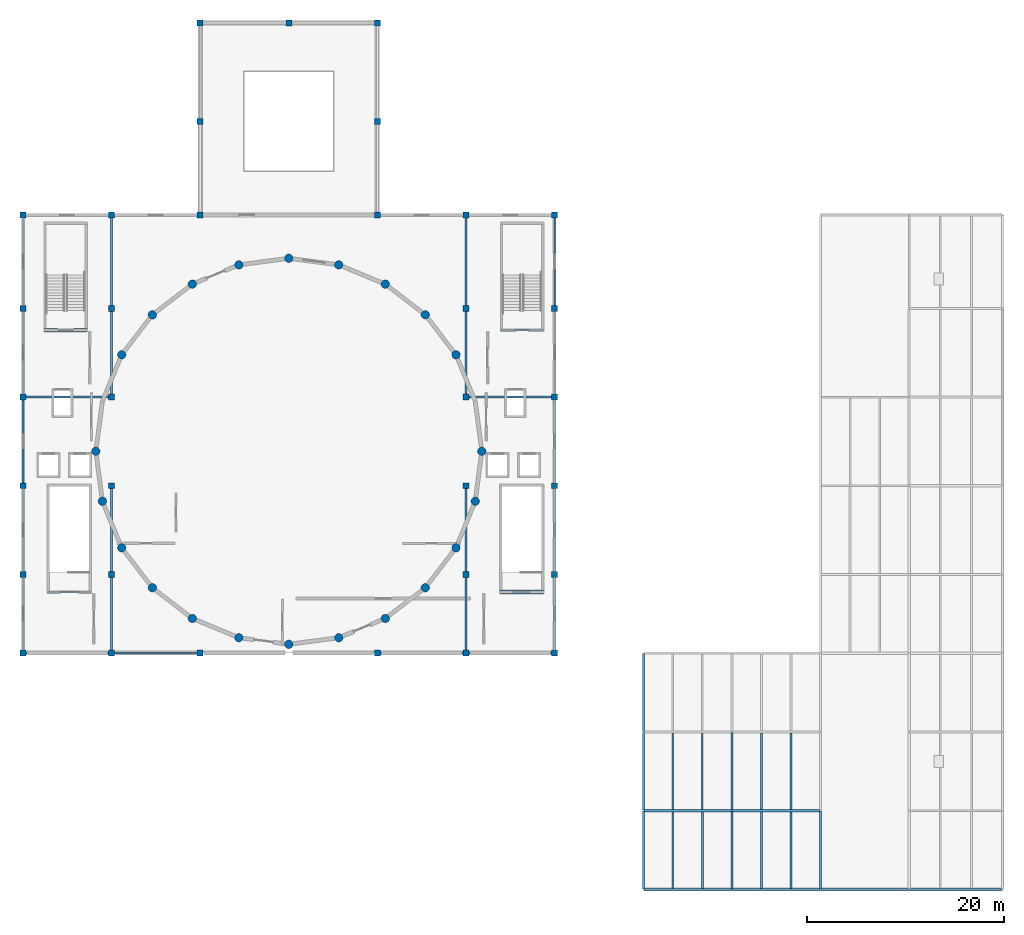
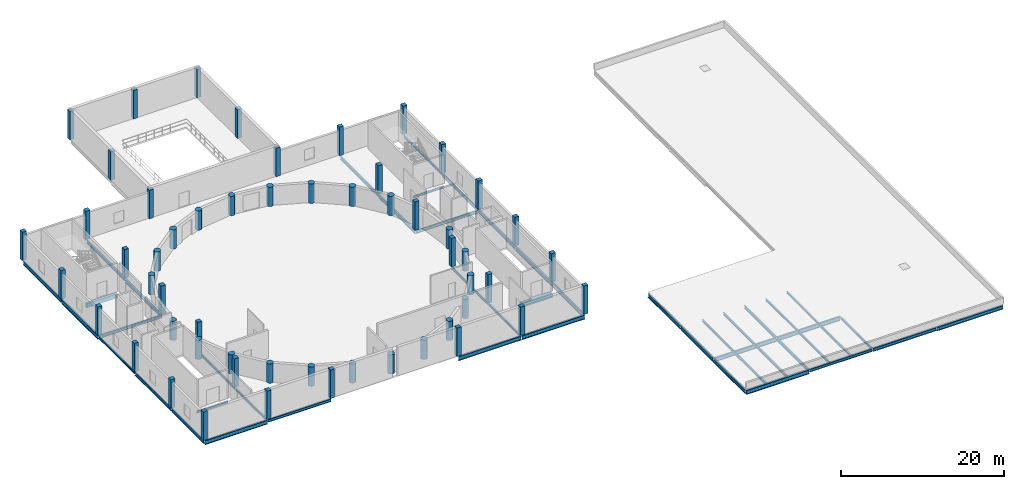
# One storey, part 1 of 10: 55 columns, 48 beams.
"""IFC4 building model written with IfcOpenShell, lengths in metres."""

import ifcopenshell
import ifcopenshell.guid

model = None  # the IFC model being written
_history = None  # IfcOwnerHistory: only IFC2X3 demands one
_inside = {}  # id of a spatial element -> (the spatial element, [elements in it])
_under = {}  # id of a project, library or spatial element -> (it, [spatial elements below it])
_declared = {}  # id of a project -> (the project, [libraries it declares])
_typed = {}  # id of a type object -> (the type object, [elements of that type])
_made_of = {}  # id of a material, layer set ... -> (it, [elements and type objects made of it])


def new_model(schema):
    """Start an empty IFC model of exactly this schema.

    Asked for "IFC4X3", IfcOpenShell would pick the latest addendum, in which some entities
    have other attributes; the version numbers below select the first issue.
    IFC2X3 requires an IfcOwnerHistory on every rooted entity: one is made here for all.
    """
    global model, _history
    if schema == "IFC4X3":
        model = ifcopenshell.file(schema_version=(4, 3, 0, 0))
    else:
        model = ifcopenshell.file(schema=schema)
    _inside.clear()
    _under.clear()
    _declared.clear()
    _typed.clear()
    _made_of.clear()
    _history = None
    if model.schema == "IFC2X3":
        org = make("IfcOrganization", Name="unknown")
        user = make(
            "IfcPersonAndOrganization",
            ThePerson=make("IfcPerson", FamilyName="unknown"),
            TheOrganization=org,
        )
        app = make(
            "IfcApplication",
            ApplicationDeveloper=org,
            Version="unknown",
            ApplicationFullName="unknown",
            ApplicationIdentifier="unknown",
        )
        _history = make(
            "IfcOwnerHistory",
            OwningUser=user,
            OwningApplication=app,
            ChangeAction="ADDED",
            CreationDate=0,
        )
    return model


def make(cls, **values):
    """One entity of the class cls with the attributes given. An attribute that is None is left unset."""
    return model.create_entity(
        cls, **{name: value for name, value in values.items() if value is not None}
    )


def rooted(cls, **values):
    """An entity with a GlobalId (a new one), such as an element, a storey or a relation."""
    return make(cls, GlobalId=ifcopenshell.guid.new(), OwnerHistory=_history, **values)


def si_unit(unit_type, name, prefix=None):
    """IfcSIUnit, for example si_unit("LENGTHUNIT", "METRE", prefix="MILLI")."""
    return make("IfcSIUnit", UnitType=unit_type, Prefix=prefix, Name=name)


def assignment(units):
    """IfcUnitAssignment: the units of a project."""
    return None if units is None else make("IfcUnitAssignment", Units=units)


def point(xyz):
    """IfcCartesianPoint."""
    return None if xyz is None else make("IfcCartesianPoint", Coordinates=xyz)


def direction(xyz):
    """IfcDirection."""
    return None if xyz is None else make("IfcDirection", DirectionRatios=xyz)


def frame(location, z_axis=None, x_axis=None):
    """IfcAxis2Placement3D, a coordinate frame: its origin and axes. An axis left out is left unset."""
    return make(
        "IfcAxis2Placement3D",
        Location=point(location),
        Axis=direction(z_axis),
        RefDirection=direction(x_axis),
    )


def frame_2d(location, x_axis=None):
    """IfcAxis2Placement2D, a coordinate frame in the plane: its origin and x axis."""
    return make(
        "IfcAxis2Placement2D", Location=point(location), RefDirection=direction(x_axis)
    )


def origin():
    """The frame at (0, 0, 0) with its axes left unset."""
    return frame((0.0, 0.0, 0.0))


def origin_2d():
    """The frame at (0, 0) in the plane with its x axis left unset."""
    return frame_2d((0.0, 0.0))


def place(relative_to, where):
    """IfcLocalPlacement: puts the frame where relative to a parent placement (None: the world)."""
    return make(
        "IfcLocalPlacement", PlacementRelTo=relative_to, RelativePlacement=where
    )


def context(
    kind, dimensions, precision=None, world=None, true_north=None, identifier=None
):
    """IfcGeometricRepresentationContext, for example the 3D "Model" context."""
    return make(
        "IfcGeometricRepresentationContext",
        ContextIdentifier=identifier,
        ContextType=kind,
        CoordinateSpaceDimension=dimensions,
        Precision=precision,
        WorldCoordinateSystem=world,
        TrueNorth=true_north,
    )


def subcontext(parent, identifier, kind, view, scale=None):
    """IfcGeometricRepresentationSubContext, for example "Body" below "Model"."""
    return make(
        "IfcGeometricRepresentationSubContext",
        ContextIdentifier=identifier,
        ContextType=kind,
        ParentContext=parent,
        TargetScale=scale,
        TargetView=view,
    )


def project(units=None, contexts=None):
    """IfcProject with its units and contexts."""
    return rooted(
        "IfcProject",
        Name="project",
        RepresentationContexts=contexts,
        UnitsInContext=assignment(units),
    )


def spatial(cls, under=None, at=None, **own):
    """A site, building, storey or space (cls), placed at a placement, below another one or the project."""
    s = rooted(cls, ObjectPlacement=at, **own)
    if under is not None:
        _under.setdefault(under.id(), (under, []))[1].append(s)
    return s


def profile(cls, at=None, kind="AREA", **sizes):
    """A parametric profile (cls). Its sizes go by their IFC names, for example OverallWidth=200.0."""
    return make(cls, ProfileType=kind, Position=at, **sizes)


def rectangle(**sizes):
    """IfcRectangleProfileDef."""
    return profile("IfcRectangleProfileDef", **sizes)


def circle(**sizes):
    """IfcCircleProfileDef."""
    return profile("IfcCircleProfileDef", **sizes)


def i_section(**sizes):
    """IfcIShapeProfileDef."""
    return profile("IfcIShapeProfileDef", **sizes)


def extrude(swept, where, along, depth):
    """IfcExtrudedAreaSolid: the profile swept, set in the frame where, extruded along a direction by depth."""
    return make(
        "IfcExtrudedAreaSolid",
        SweptArea=swept,
        Position=where,
        ExtrudedDirection=direction(along),
        Depth=depth,
    )


def shape(context_of_items, identifier, shape_type, items):
    """IfcShapeRepresentation: the items that make up one representation, for example the "Body"."""
    return make(
        "IfcShapeRepresentation",
        ContextOfItems=context_of_items,
        RepresentationIdentifier=identifier,
        RepresentationType=shape_type,
        Items=items,
    )


def material(Name=None, Category=None):
    """IfcMaterial."""
    return make("IfcMaterial", Name=Name, Category=Category)


def material_profile(
    of_material, cross_section, Name=None, Category=None, Priority=None
):
    """IfcMaterialProfile: a cross section and its material."""
    return make(
        "IfcMaterialProfile",
        Name=Name,
        Material=of_material,
        Profile=cross_section,
        Priority=Priority,
        Category=Category,
    )


def profile_set(profiles, Name=None, composite=None):
    """IfcMaterialProfileSet."""
    return make(
        "IfcMaterialProfileSet",
        Name=Name,
        MaterialProfiles=profiles,
        CompositeProfile=composite,
    )


def made_of(thing, what):
    """Note that an element or type object is made of a material, layer set ...; save() writes the relation."""
    if what is not None:
        _made_of.setdefault(what.id(), (what, []))[1].append(thing)
    return thing


def type_object(cls, material=None, **own):
    """A type object (cls), such as IfcWallType, which elements share."""
    return made_of(rooted(cls, **own), material)


def element(
    cls,
    number,
    at=None,
    inside=None,
    cuts=None,
    type_object=None,
    material=None,
    context=None,
    identifier="Body",
    shape_type=None,
    held_by="IfcProductDefinitionShape",
    body=None,
    shapes=None,
    **own,
):
    """One element of the class cls, such as IfcWall. Its Tag is "e" and its number.

    at: its placement. inside: the storey or other place that contains it. cuts: it is an
    opening in that element (IfcRelVoidsElement). A single representation is given by context,
    identifier, shape_type and body (its items); several are given by shapes. held_by: the class
    of the entity that holds the representations. save() writes the other relations.
    """
    e = rooted(cls, Tag="e%d" % number, ObjectPlacement=at, **own)
    if body is not None:
        shapes = [shape(context, identifier, shape_type, body)]
    if shapes is not None:
        e.Representation = make(held_by, Representations=shapes)
    if inside is not None:
        _inside.setdefault(inside.id(), (inside, []))[1].append(e)
    if cuts is not None:
        rooted(
            "IfcRelVoidsElement", RelatingBuildingElement=cuts, RelatedOpeningElement=e
        )
    if type_object is not None:
        _typed.setdefault(type_object.id(), (type_object, []))[1].append(e)
    return made_of(e, material)


def aggregate(whole, parts):
    """IfcRelAggregates: a whole, such as a stair, and the parts it consists of."""
    return rooted("IfcRelAggregates", RelatingObject=whole, RelatedObjects=parts)


def save(model, path):
    """Write the relations noted so far, then the file.

    IfcRelAggregates (storeys below a building ...), IfcRelContainedInSpatialStructure (elements
    in a storey), IfcRelDefinesByType, IfcRelAssociatesMaterial and IfcRelDeclares: one each for
    every whole, place, type object, material and project.
    """
    for whole, parts in _under.values():
        aggregate(whole, parts)
    for where, things in _inside.values():
        rooted(
            "IfcRelContainedInSpatialStructure",
            RelatedElements=things,
            RelatingStructure=where,
        )
    for kind, things in _typed.values():
        rooted("IfcRelDefinesByType", RelatedObjects=things, RelatingType=kind)
    for what, things in _made_of.values():
        rooted("IfcRelAssociatesMaterial", RelatedObjects=things, RelatingMaterial=what)
    for by, libraries in _declared.values():
        rooted("IfcRelDeclares", RelatingContext=by, RelatedDefinitions=libraries)
    model.write(path)


model = new_model("IFC4")

# Units and contexts
model_context = context("Model", 3, precision=1e-05, world=origin(), true_north=direction((0.0, 1.0)))
body_context = subcontext(model_context, "Body", "Model", "MODEL_VIEW")
ifc_project = project(units=[si_unit("LENGTHUNIT", "METRE"), si_unit("AREAUNIT", "SQUARE_METRE"), si_unit("VOLUMEUNIT", "CUBIC_METRE"), si_unit("PLANEANGLEUNIT", "RADIAN"), si_unit("MASSUNIT", "GRAM", prefix="KILO")], contexts=[model_context])

# Site, building, storey
site_placement = place(None, origin())
site = spatial("IfcSite", under=ifc_project, at=site_placement, CompositionType="ELEMENT")
building_placement = place(site_placement, origin())
building = spatial("IfcBuilding", under=site, at=building_placement, Name="Marnock Terrace Opera House", CompositionType="ELEMENT")
storey_placement = place(building_placement, frame((0.0, 0.0, 23.699951171875)))
storey = spatial("IfcBuildingStorey", under=building, at=storey_placement, Name="L05", CompositionType="ELEMENT", Elevation=23.699951171875)

# Columns
ifc_material_1 = material(Name="Concrete N50 (f'c = 50 MPa)", Category="concrete")
ifc_material_profile_1 = material_profile(ifc_material_1, circle(Radius=0.425048828125, at=origin_2d()))
ifc_profile_set_1 = profile_set([ifc_material_profile_1], Name="Concrete N50 (f'c = 50 MPa)")
column_type_1 = type_object("IfcColumnType", Name="COL-DRUM-850", PredefinedType="COLUMN", material=ifc_profile_set_1)
for number, where, z_axis, x_axis, name in (
    (1, (101.60009765625, 60.5, 0.0), (0.0, 0.0, 1.0), (1.0, 0.0, 0.0), "L05 auditorium drum pier 1"),
    (2, (98.97412109375, 70.300048828125, 0.0), (0.0, 0.0, 1.0), (1.0, 0.0, 0.0), "L05 auditorium drum pier 3"),
    (3, (95.85888671875, 74.35888671875, 0.0), (0.0, 0.0, 1.0), (1.0, 0.0, 0.0), "L05 auditorium drum pier 4"),
    (4, (91.800048828125, 77.47412109375, 0.0), (0.0, 0.0, 1.0), (1.0, 0.0, 0.0), "L05 auditorium drum pier 5"),
    (5, (87.072998046875, 79.431884765625, 0.0), (0.0, 0.0, 1.0), (1.0, 0.0, 0.0), "L05 auditorium drum pier 6"),
    (6, (82.0, 80.10009765625, 0.0), (0.0, 0.0, 1.0), (1.0, 0.0, 0.0), "L05 auditorium drum pier 7"),
    (7, (76.927001953125, 79.431884765625, 0.0), (0.0, 0.0, 1.0), (1.0, 0.0, 0.0), "L05 auditorium drum pier 8"),
    (8, (72.199951171875, 77.47412109375, 0.0), (0.0, 0.0, 1.0), (1.0, 0.0, 0.0), "L05 auditorium drum pier 9"),
    (9, (68.14111328125, 74.35888671875, 0.0), (0.0, 0.0, 1.0), (1.0, 0.0, 0.0), "L05 auditorium drum pier 10"),
    (10, (65.02587890625, 70.300048828125, 0.0), (0.0, 0.0, 1.0), (1.0, 0.0, 0.0), "L05 auditorium drum pier 11"),
    (11, (62.39990234375, 60.5, 0.0), (0.0, 0.0, 1.0), (1.0, 0.0, 0.0), "L05 auditorium drum pier 13"),
    (12, (63.068115234375, 55.427001953125, 0.0), (0.0, 0.0, 1.0), (1.0, 0.0, 0.0), "L05 auditorium drum pier 14"),
    (13, (65.02587890625, 50.699951171875, 0.0), (0.0, 0.0, 1.0), (1.0, 0.0, 0.0), "L05 auditorium drum pier 15"),
    (14, (68.14111328125, 46.64111328125, 0.0), (0.0, 0.0, 1.0), (1.0, 0.0, 0.0), "L05 auditorium drum pier 16"),
    (15, (72.199951171875, 43.52587890625, 0.0), (0.0, 0.0, 1.0), (1.0, 0.0, 0.0), "L05 auditorium drum pier 17"),
    (16, (76.927001953125, 41.568115234375, 0.0), (0.0, 0.0, 1.0), (1.0, 0.0, 0.0), "L05 auditorium drum pier 18"),
    (17, (82.0, 40.89990234375, 0.0), (0.0, 0.0, 1.0), (1.0, 0.0, 0.0), "L05 auditorium drum pier 19"),
    (18, (87.072998046875, 41.568115234375, 0.0), (0.0, 0.0, 1.0), (1.0, 0.0, 0.0), "L05 auditorium drum pier 20"),
    (19, (91.800048828125, 43.52587890625, 0.0), (0.0, 0.0, 1.0), (1.0, 0.0, 0.0), "L05 auditorium drum pier 21"),
    (20, (95.85888671875, 46.64111328125, 0.0), (0.0, 0.0, 1.0), (1.0, 0.0, 0.0), "L05 auditorium drum pier 22"),
    (21, (98.97412109375, 50.699951171875, 0.0), (0.0, 0.0, 1.0), (1.0, 0.0, 0.0), "L05 auditorium drum pier 23"),
    (22, (100.931884765625, 55.427001953125, 0.0), (0.0, 0.0, 1.0), (1.0, 0.0, 0.0), "L05 auditorium drum pier 24"),
):
    element("IfcColumn", number, at=place(storey_placement, frame(where, z_axis=z_axis, x_axis=x_axis)), inside=storey, type_object=column_type_1, Name=name, PredefinedType="COLUMN", context=body_context, shape_type="SweptSolid", body=[
        extrude(circle(Radius=0.425048828125, at=origin_2d()), origin(), (0.0, 0.0, 1.0), 2.900146484375),
    ])
ifc_material_2 = material(Name="Concrete N40 (f'c = 40 MPa)", Category="concrete")
ifc_material_profile_2 = material_profile(ifc_material_2, rectangle(XDim=0.60009765625, YDim=0.60009765625, at=origin_2d()))
ifc_profile_set_2 = profile_set([ifc_material_profile_2], Name="Concrete N40 (f'c = 40 MPa)")
column_type_2 = type_object("IfcColumnType", Name="COL-RC600", PredefinedType="COLUMN", material=ifc_profile_set_2)
for number, where, z_axis, x_axis, name in (
    (23, (55.0, 40.0, 0.0), (0.0, 0.0, 1.0), (1.0, 0.0, 0.0), "L05 column at (55.0, 40.0)"),
    (24, (55.0, 48.0, 0.0), (0.0, 0.0, 1.0), (1.0, 0.0, 0.0), "L05 column at (55.0, 48.0)"),
    (25, (55.0, 57.0, 0.0), (0.0, 0.0, 1.0), (1.0, 0.0, 0.0), "L05 column at (55.0, 57.0)"),
    (26, (55.0, 66.0, 0.0), (0.0, 0.0, 1.0), (1.0, 0.0, 0.0), "L05 column at (55.0, 66.0)"),
    (27, (55.0, 75.0, 0.0), (0.0, 0.0, 1.0), (1.0, 0.0, 0.0), "L05 column at (55.0, 75.0)"),
    (28, (55.0, 84.5, 0.0), (0.0, 0.0, 1.0), (1.0, 0.0, 0.0), "L05 column at (55.0, 84.5)"),
    (29, (64.0, 40.0, 0.0), (0.0, 0.0, 1.0), (1.0, 0.0, 0.0), "L05 column at (64.0, 40.0)"),
    (30, (64.0, 48.0, 0.0), (0.0, 0.0, 1.0), (1.0, 0.0, 0.0), "L05 column at (64.0, 48.0)"),
    (31, (64.0, 57.0, 0.0), (0.0, 0.0, 1.0), (1.0, 0.0, 0.0), "L05 column at (64.0, 57.0)"),
    (32, (64.0, 66.0, 0.0), (0.0, 0.0, 1.0), (1.0, 0.0, 0.0), "L05 column at (64.0, 66.0)"),
    (33, (64.0, 75.0, 0.0), (0.0, 0.0, 1.0), (1.0, 0.0, 0.0), "L05 column at (64.0, 75.0)"),
    (34, (64.0, 84.5, 0.0), (0.0, 0.0, 1.0), (1.0, 0.0, 0.0), "L05 column at (64.0, 84.5)"),
    (35, (73.0, 40.0, 0.0), (0.0, 0.0, 1.0), (1.0, 0.0, 0.0), "L05 column at (73.0, 40.0)"),
    (36, (73.0, 84.5, 0.0), (0.0, 0.0, 1.0), (1.0, 0.0, 0.0), "L05 column at (73.0, 84.5)"),
    (37, (73.0, 94.0, 0.0), (0.0, 0.0, 1.0), (1.0, 0.0, 0.0), "L05 column at (73.0, 94.0)"),
    (38, (73.0, 104.0, 0.0), (0.0, 0.0, 1.0), (1.0, 0.0, 0.0), "L05 column at (73.0, 104.0)"),
    (39, (82.0, 104.0, 0.0), (0.0, 0.0, 1.0), (1.0, 0.0, 0.0), "L05 column at (82.0, 104.0)"),
    (40, (91.0, 40.0, 0.0), (0.0, 0.0, 1.0), (1.0, 0.0, 0.0), "L05 column at (91.0, 40.0)"),
    (41, (91.0, 84.5, 0.0), (0.0, 0.0, 1.0), (1.0, 0.0, 0.0), "L05 column at (91.0, 84.5)"),
    (42, (91.0, 94.0, 0.0), (0.0, 0.0, 1.0), (1.0, 0.0, 0.0), "L05 column at (91.0, 94.0)"),
    (43, (91.0, 104.0, 0.0), (0.0, 0.0, 1.0), (1.0, 0.0, 0.0), "L05 column at (91.0, 104.0)"),
    (44, (100.0, 40.0, 0.0), (0.0, 0.0, 1.0), (1.0, 0.0, 0.0), "L05 column at (100.0, 40.0)"),
    (45, (100.0, 48.0, 0.0), (0.0, 0.0, 1.0), (1.0, 0.0, 0.0), "L05 column at (100.0, 48.0)"),
    (46, (100.0, 57.0, 0.0), (0.0, 0.0, 1.0), (1.0, 0.0, 0.0), "L05 column at (100.0, 57.0)"),
    (47, (100.0, 66.0, 0.0), (0.0, 0.0, 1.0), (1.0, 0.0, 0.0), "L05 column at (100.0, 66.0)"),
    (48, (100.0, 75.0, 0.0), (0.0, 0.0, 1.0), (1.0, 0.0, 0.0), "L05 column at (100.0, 75.0)"),
    (49, (100.0, 84.5, 0.0), (0.0, 0.0, 1.0), (1.0, 0.0, 0.0), "L05 column at (100.0, 84.5)"),
    (50, (109.0, 40.0, 0.0), (0.0, 0.0, 1.0), (1.0, 0.0, 0.0), "L05 column at (109.0, 40.0)"),
    (51, (109.0, 48.0, 0.0), (0.0, 0.0, 1.0), (1.0, 0.0, 0.0), "L05 column at (109.0, 48.0)"),
    (52, (109.0, 57.0, 0.0), (0.0, 0.0, 1.0), (1.0, 0.0, 0.0), "L05 column at (109.0, 57.0)"),
    (53, (109.0, 66.0, 0.0), (0.0, 0.0, 1.0), (1.0, 0.0, 0.0), "L05 column at (109.0, 66.0)"),
    (54, (109.0, 75.0, 0.0), (0.0, 0.0, 1.0), (1.0, 0.0, 0.0), "L05 column at (109.0, 75.0)"),
    (55, (109.0, 84.5, 0.0), (0.0, 0.0, 1.0), (1.0, 0.0, 0.0), "L05 column at (109.0, 84.5)"),
):
    element("IfcColumn", number, at=place(storey_placement, frame(where, z_axis=z_axis, x_axis=x_axis)), inside=storey, type_object=column_type_2, Name=name, PredefinedType="COLUMN", context=body_context, shape_type="SweptSolid", body=[
        extrude(rectangle(XDim=0.60009765625, YDim=0.60009765625, at=origin_2d()), origin(), (0.0, 0.0, 1.0), 4.280029296875),
    ])

# Beams
ifc_material_3 = material(Name="Steel Grade 350 (AS/NZS 3679.1)", Category="steel")
ifc_material_profile_3 = material_profile(ifc_material_3, i_section(OverallWidth=0.1708984375, OverallDepth=0.355712890625, WebThickness=0.00732421875, FlangeThickness=0.011474609375, FilletRadius=0.011474609375, at=origin_2d()))
ifc_profile_set_3 = profile_set([ifc_material_profile_3], Name="Steel Grade 350 (AS/NZS 3679.1)")
beam_type_1 = type_object("IfcBeamType", Name="BM-GIRD-360", PredefinedType="BEAM", material=ifc_profile_set_3)
beam_1_placement = place(storey_placement, frame((55.0, 57.050048828125, -0.427734375), z_axis=(0.0, 1.0, 0.0), x_axis=(-1.0, 0.0, 0.0)))
element("IfcBeam", 56, at=beam_1_placement, inside=storey, type_object=beam_type_1, Name="L05 girder (X=55.0, 57.0..66.0)", PredefinedType="BEAM", context=body_context, shape_type="SweptSolid", body=[
    extrude(i_section(OverallWidth=0.1708984375, OverallDepth=0.355712890625, WebThickness=0.00732421875, FlangeThickness=0.011474609375, FilletRadius=0.011474609375, at=origin_2d()), origin(), (0.0, 0.0, 1.0), 8.89990234375),
])
beam_2_placement = place(storey_placement, frame((64.0, 40.050048828125, -0.427734375), z_axis=(0.0, 1.0, 0.0), x_axis=(-1.0, 0.0, 0.0)))
element("IfcBeam", 57, at=beam_2_placement, inside=storey, type_object=beam_type_1, Name="L05 girder (X=64.0, 40.0..48.0)", PredefinedType="BEAM", context=body_context, shape_type="SweptSolid", body=[
    extrude(i_section(OverallWidth=0.1708984375, OverallDepth=0.355712890625, WebThickness=0.00732421875, FlangeThickness=0.011474609375, FilletRadius=0.011474609375, at=origin_2d()), origin(), (0.0, 0.0, 1.0), 7.89990234375),
])
beam_3_placement = place(storey_placement, frame((64.0, 48.050048828125, -0.427734375), z_axis=(0.0, 1.0, 0.0), x_axis=(-1.0, 0.0, 0.0)))
element("IfcBeam", 58, at=beam_3_placement, inside=storey, type_object=beam_type_1, Name="L05 girder (X=64.0, 48.0..57.0)", PredefinedType="BEAM", context=body_context, shape_type="SweptSolid", body=[
    extrude(i_section(OverallWidth=0.1708984375, OverallDepth=0.355712890625, WebThickness=0.00732421875, FlangeThickness=0.011474609375, FilletRadius=0.011474609375, at=origin_2d()), origin(), (0.0, 0.0, 1.0), 8.89990234375),
])
beam_4_placement = place(storey_placement, frame((100.0, 40.050048828125, -0.427734375), z_axis=(0.0, 1.0, 0.0), x_axis=(-1.0, 0.0, 0.0)))
element("IfcBeam", 59, at=beam_4_placement, inside=storey, type_object=beam_type_1, Name="L05 girder (X=100.0, 40.0..48.0)", PredefinedType="BEAM", context=body_context, shape_type="SweptSolid", body=[
    extrude(i_section(OverallWidth=0.1708984375, OverallDepth=0.355712890625, WebThickness=0.00732421875, FlangeThickness=0.011474609375, FilletRadius=0.011474609375, at=origin_2d()), origin(), (0.0, 0.0, 1.0), 7.89990234375),
])
beam_5_placement = place(storey_placement, frame((100.0, 48.050048828125, -0.427734375), z_axis=(0.0, 1.0, 0.0), x_axis=(-1.0, 0.0, 0.0)))
element("IfcBeam", 60, at=beam_5_placement, inside=storey, type_object=beam_type_1, Name="L05 girder (X=100.0, 48.0..57.0)", PredefinedType="BEAM", context=body_context, shape_type="SweptSolid", body=[
    extrude(i_section(OverallWidth=0.1708984375, OverallDepth=0.355712890625, WebThickness=0.00732421875, FlangeThickness=0.011474609375, FilletRadius=0.011474609375, at=origin_2d()), origin(), (0.0, 0.0, 1.0), 8.89990234375),
])
beam_6_placement = place(storey_placement, frame((109.0, 75.050048828125, -0.427734375), z_axis=(0.0, 1.0, 0.0), x_axis=(-1.0, 0.0, 0.0)))
element("IfcBeam", 61, at=beam_6_placement, inside=storey, type_object=beam_type_1, Name="L05 girder (X=109.0, 75.0..84.5)", PredefinedType="BEAM", context=body_context, shape_type="SweptSolid", body=[
    extrude(i_section(OverallWidth=0.1708984375, OverallDepth=0.355712890625, WebThickness=0.00732421875, FlangeThickness=0.011474609375, FilletRadius=0.011474609375, at=origin_2d()), origin(), (0.0, 0.0, 1.0), 9.39990234375),
])
beam_7_placement = place(storey_placement, frame((136.0, 16.050048828125, -0.397705078125), z_axis=(0.0, 1.0, 0.0), x_axis=(-1.0, 0.0, 0.0)))
element("IfcBeam", 62, at=beam_7_placement, inside=storey, type_object=beam_type_1, Name="L05 girder (X=136.0, 16.0..24.0)", PredefinedType="BEAM", context=body_context, shape_type="SweptSolid", body=[
    extrude(i_section(OverallWidth=0.1708984375, OverallDepth=0.355712890625, WebThickness=0.00732421875, FlangeThickness=0.011474609375, FilletRadius=0.011474609375, at=origin_2d()), origin(), (0.0, 0.0, 1.0), 7.89990234375),
])
ifc_material_profile_4 = material_profile(ifc_material_3, i_section(OverallWidth=0.177978515625, OverallDepth=0.402587890625, WebThickness=0.007568359375, FlangeThickness=0.010986328125, FilletRadius=0.011474609375, at=origin_2d()))
ifc_profile_set_4 = profile_set([ifc_material_profile_4], Name="Steel Grade 350 (AS/NZS 3679.1)")
beam_type_2 = type_object("IfcBeamType", Name="BM-GIRD-410", PredefinedType="BEAM", material=ifc_profile_set_4)
for number, where, z_axis, x_axis, name in (
    (63, (127.050048828125, 16.0, -0.421142578125), (1.0, 0.0, 0.0), (0.0, 1.0, 0.0), "L05 girder (127.0..136.0, Y=16.0)"),
    (64, (64.050048828125, 40.0, -0.451171875), (1.0, 0.0, 0.0), (0.0, 1.0, 0.0), "L05 girder (64.0..73.0, Y=40.0)"),
):
    element("IfcBeam", number, at=place(storey_placement, frame(where, z_axis=z_axis, x_axis=x_axis)), inside=storey, type_object=beam_type_2, Name=name, PredefinedType="BEAM", context=body_context, shape_type="SweptSolid", body=[
        extrude(i_section(OverallWidth=0.177978515625, OverallDepth=0.402587890625, WebThickness=0.007568359375, FlangeThickness=0.010986328125, FilletRadius=0.011474609375, at=origin_2d()), origin(), (0.0, 0.0, 1.0), 8.89990234375),
    ])
ifc_material_profile_5 = material_profile(ifc_material_3, i_section(OverallWidth=0.19091796875, OverallDepth=0.46044921875, WebThickness=0.010009765625, FlangeThickness=0.01611328125, FilletRadius=0.011474609375, at=origin_2d()))
ifc_profile_set_5 = profile_set([ifc_material_profile_5], Name="Steel Grade 350 (AS/NZS 3679.1)")
beam_type_3 = type_object("IfcBeamType", Name="BM-GIRD-460A", PredefinedType="BEAM", material=ifc_profile_set_5)
for number, where, z_axis, x_axis, name in (
    (65, (136.050048828125, 16.0, -0.4501953125), (1.0, 0.0, 0.0), (0.0, 1.0, 0.0), "L05 girder (136.0..145.0, Y=16.0)"),
    (66, (55.050048828125, 66.0, -0.480224609375), (1.0, 0.0, 0.0), (0.0, 1.0, 0.0), "L05 girder (55.0..64.0, Y=66.0)"),
    (67, (100.050048828125, 66.0, -0.480224609375), (1.0, 0.0, 0.0), (0.0, 1.0, 0.0), "L05 girder (100.0..109.0, Y=66.0)"),
):
    element("IfcBeam", number, at=place(storey_placement, frame(where, z_axis=z_axis, x_axis=x_axis)), inside=storey, type_object=beam_type_3, Name=name, PredefinedType="BEAM", context=body_context, shape_type="SweptSolid", body=[
        extrude(i_section(OverallWidth=0.19091796875, OverallDepth=0.46044921875, WebThickness=0.010009765625, FlangeThickness=0.01611328125, FilletRadius=0.011474609375, at=origin_2d()), origin(), (0.0, 0.0, 1.0), 8.89990234375),
    ])
ifc_material_profile_6 = material_profile(ifc_material_3, i_section(OverallWidth=0.18994140625, OverallDepth=0.45751953125, WebThickness=0.009033203125, FlangeThickness=0.014404296875, FilletRadius=0.011474609375, at=origin_2d()))
ifc_profile_set_6 = profile_set([ifc_material_profile_6], Name="Steel Grade 350 (AS/NZS 3679.1)")
beam_type_4 = type_object("IfcBeamType", Name="BM-GIRD-460B", PredefinedType="BEAM", material=ifc_profile_set_6)
beam_8_placement = place(storey_placement, frame((55.0, 40.050048828125, -0.478759765625), z_axis=(0.0, 1.0, 0.0), x_axis=(-1.0, 0.0, 0.0)))
element("IfcBeam", 68, at=beam_8_placement, inside=storey, type_object=beam_type_4, Name="L05 girder (X=55.0, 40.0..48.0)", PredefinedType="BEAM", context=body_context, shape_type="SweptSolid", body=[
    extrude(i_section(OverallWidth=0.18994140625, OverallDepth=0.45751953125, WebThickness=0.009033203125, FlangeThickness=0.014404296875, FilletRadius=0.011474609375, at=origin_2d()), origin(), (0.0, 0.0, 1.0), 7.89990234375),
])
beam_9_placement = place(storey_placement, frame((55.0, 48.050048828125, -0.478759765625), z_axis=(0.0, 1.0, 0.0), x_axis=(-1.0, 0.0, 0.0)))
element("IfcBeam", 69, at=beam_9_placement, inside=storey, type_object=beam_type_4, Name="L05 girder (X=55.0, 48.0..57.0)", PredefinedType="BEAM", context=body_context, shape_type="SweptSolid", body=[
    extrude(i_section(OverallWidth=0.18994140625, OverallDepth=0.45751953125, WebThickness=0.009033203125, FlangeThickness=0.014404296875, FilletRadius=0.011474609375, at=origin_2d()), origin(), (0.0, 0.0, 1.0), 8.89990234375),
])
for number, where, z_axis, x_axis, name in (
    (70, (64.0, 75.050048828125, -0.478759765625), (0.0, 1.0, 0.0), (-1.0, 0.0, 0.0), "L05 girder (X=64.0, 75.0..84.5)"),
    (71, (100.0, 75.050048828125, -0.478759765625), (0.0, 1.0, 0.0), (-1.0, 0.0, 0.0), "L05 girder (X=100.0, 75.0..84.5)"),
):
    element("IfcBeam", number, at=place(storey_placement, frame(where, z_axis=z_axis, x_axis=x_axis)), inside=storey, type_object=beam_type_4, Name=name, PredefinedType="BEAM", context=body_context, shape_type="SweptSolid", body=[
        extrude(i_section(OverallWidth=0.18994140625, OverallDepth=0.45751953125, WebThickness=0.009033203125, FlangeThickness=0.014404296875, FilletRadius=0.011474609375, at=origin_2d()), origin(), (0.0, 0.0, 1.0), 9.39990234375),
    ])
beam_10_placement = place(storey_placement, frame((109.0, 66.050048828125, -0.478759765625), z_axis=(0.0, 1.0, 0.0), x_axis=(-1.0, 0.0, 0.0)))
element("IfcBeam", 72, at=beam_10_placement, inside=storey, type_object=beam_type_4, Name="L05 girder (X=109.0, 66.0..75.0)", PredefinedType="BEAM", context=body_context, shape_type="SweptSolid", body=[
    extrude(i_section(OverallWidth=0.18994140625, OverallDepth=0.45751953125, WebThickness=0.009033203125, FlangeThickness=0.014404296875, FilletRadius=0.011474609375, at=origin_2d()), origin(), (0.0, 0.0, 1.0), 8.89990234375),
])
for number, where, z_axis, x_axis, name in (
    (73, (127.0, 16.050048828125, -0.44873046875), (0.0, 1.0, 0.0), (-1.0, 0.0, 0.0), "L05 girder (X=127.0, 16.0..24.0)"),
    (74, (127.0, 24.050048828125, -0.44873046875), (0.0, 1.0, 0.0), (-1.0, 0.0, 0.0), "L05 girder (X=127.0, 24.0..32.0)"),
):
    element("IfcBeam", number, at=place(storey_placement, frame(where, z_axis=z_axis, x_axis=x_axis)), inside=storey, type_object=beam_type_4, Name=name, PredefinedType="BEAM", context=body_context, shape_type="SweptSolid", body=[
        extrude(i_section(OverallWidth=0.18994140625, OverallDepth=0.45751953125, WebThickness=0.009033203125, FlangeThickness=0.014404296875, FilletRadius=0.011474609375, at=origin_2d()), origin(), (0.0, 0.0, 1.0), 7.89990234375),
    ])
ifc_material_profile_7 = material_profile(ifc_material_3, i_section(OverallWidth=0.208984375, OverallDepth=0.532958984375, WebThickness=0.01025390625, FlangeThickness=0.015625, FilletRadius=0.013916015625, at=origin_2d()))
ifc_profile_set_7 = profile_set([ifc_material_profile_7], Name="Steel Grade 350 (AS/NZS 3679.1)")
beam_type_5 = type_object("IfcBeamType", Name="BM-GIRD-530A", PredefinedType="BEAM", material=ifc_profile_set_7)
beam_11_placement = place(storey_placement, frame((145.050048828125, 16.0, -0.486572265625), z_axis=(1.0, 0.0, 0.0), x_axis=(0.0, 1.0, 0.0)))
element("IfcBeam", 75, at=beam_11_placement, inside=storey, type_object=beam_type_5, Name="L05 girder (145.0..154.5, Y=16.0)", PredefinedType="BEAM", context=body_context, shape_type="SweptSolid", body=[
    extrude(i_section(OverallWidth=0.208984375, OverallDepth=0.532958984375, WebThickness=0.01025390625, FlangeThickness=0.015625, FilletRadius=0.013916015625, at=origin_2d()), origin(), (0.0, 0.0, 1.0), 9.39990234375),
])
ifc_material_profile_8 = material_profile(ifc_material_3, i_section(OverallWidth=0.208984375, OverallDepth=0.528076171875, WebThickness=0.009521484375, FlangeThickness=0.01318359375, FilletRadius=0.013916015625, at=origin_2d()))
ifc_profile_set_8 = profile_set([ifc_material_profile_8], Name="Steel Grade 350 (AS/NZS 3679.1)")
beam_type_6 = type_object("IfcBeamType", Name="BM-GIRD-530B", PredefinedType="BEAM", material=ifc_profile_set_8)
beam_12_placement = place(storey_placement, frame((55.0, 75.050048828125, -0.513916015625), z_axis=(0.0, 1.0, 0.0), x_axis=(-1.0, 0.0, 0.0)))
element("IfcBeam", 76, at=beam_12_placement, inside=storey, type_object=beam_type_6, Name="L05 girder (X=55.0, 75.0..84.5)", PredefinedType="BEAM", context=body_context, shape_type="SweptSolid", body=[
    extrude(i_section(OverallWidth=0.208984375, OverallDepth=0.528076171875, WebThickness=0.009521484375, FlangeThickness=0.01318359375, FilletRadius=0.013916015625, at=origin_2d()), origin(), (0.0, 0.0, 1.0), 9.39990234375),
])
for number, where, z_axis, x_axis, name in (
    (77, (64.0, 66.050048828125, -0.513916015625), (0.0, 1.0, 0.0), (-1.0, 0.0, 0.0), "L05 girder (X=64.0, 66.0..75.0)"),
    (78, (100.0, 66.050048828125, -0.513916015625), (0.0, 1.0, 0.0), (-1.0, 0.0, 0.0), "L05 girder (X=100.0, 66.0..75.0)"),
    (79, (109.0, 57.050048828125, -0.513916015625), (0.0, 1.0, 0.0), (-1.0, 0.0, 0.0), "L05 girder (X=109.0, 57.0..66.0)"),
):
    element("IfcBeam", number, at=place(storey_placement, frame(where, z_axis=z_axis, x_axis=x_axis)), inside=storey, type_object=beam_type_6, Name=name, PredefinedType="BEAM", context=body_context, shape_type="SweptSolid", body=[
        extrude(i_section(OverallWidth=0.208984375, OverallDepth=0.528076171875, WebThickness=0.009521484375, FlangeThickness=0.01318359375, FilletRadius=0.013916015625, at=origin_2d()), origin(), (0.0, 0.0, 1.0), 8.89990234375),
    ])
for number, where, z_axis, x_axis, name in (
    (80, (118.0, 16.050048828125, -0.48388671875), (0.0, 1.0, 0.0), (-1.0, 0.0, 0.0), "L05 girder (X=118.0, 16.0..24.0)"),
    (81, (118.0, 24.050048828125, -0.48388671875), (0.0, 1.0, 0.0), (-1.0, 0.0, 0.0), "L05 girder (X=118.0, 24.0..32.0)"),
    (82, (118.0, 32.050048828125, -0.48388671875), (0.0, 1.0, 0.0), (-1.0, 0.0, 0.0), "L05 girder (X=118.0, 32.0..40.0)"),
):
    element("IfcBeam", number, at=place(storey_placement, frame(where, z_axis=z_axis, x_axis=x_axis)), inside=storey, type_object=beam_type_6, Name=name, PredefinedType="BEAM", context=body_context, shape_type="SweptSolid", body=[
        extrude(i_section(OverallWidth=0.208984375, OverallDepth=0.528076171875, WebThickness=0.009521484375, FlangeThickness=0.01318359375, FilletRadius=0.013916015625, at=origin_2d()), origin(), (0.0, 0.0, 1.0), 7.89990234375),
    ])
ifc_material_profile_9 = material_profile(ifc_material_3, i_section(OverallWidth=0.22900390625, OverallDepth=0.611572265625, WebThickness=0.011962890625, FlangeThickness=0.01953125, FilletRadius=0.013916015625, at=origin_2d()))
ifc_profile_set_9 = profile_set([ifc_material_profile_9], Name="Steel Grade 350 (AS/NZS 3679.1)")
beam_type_7 = type_object("IfcBeamType", Name="BM-GIRD-610A", PredefinedType="BEAM", material=ifc_profile_set_9)
for number, where, z_axis, x_axis, name in (
    (83, (118.050048828125, 16.0, -0.525634765625), (1.0, 0.0, 0.0), (0.0, 1.0, 0.0), "L05 girder (118.0..127.0, Y=16.0)"),
    (84, (127.050048828125, 24.0, -0.525634765625), (1.0, 0.0, 0.0), (0.0, 1.0, 0.0), "L05 girder (127.0..136.0, Y=24.0)"),
    (85, (55.050048828125, 40.0, -0.5556640625), (1.0, 0.0, 0.0), (0.0, 1.0, 0.0), "L05 girder (55.0..64.0, Y=40.0)"),
    (86, (100.050048828125, 40.0, -0.5556640625), (1.0, 0.0, 0.0), (0.0, 1.0, 0.0), "L05 girder (100.0..109.0, Y=40.0)"),
):
    element("IfcBeam", number, at=place(storey_placement, frame(where, z_axis=z_axis, x_axis=x_axis)), inside=storey, type_object=beam_type_7, Name=name, PredefinedType="BEAM", context=body_context, shape_type="SweptSolid", body=[
        extrude(i_section(OverallWidth=0.22900390625, OverallDepth=0.611572265625, WebThickness=0.011962890625, FlangeThickness=0.01953125, FilletRadius=0.013916015625, at=origin_2d()), origin(), (0.0, 0.0, 1.0), 8.89990234375),
    ])
ifc_material_profile_10 = material_profile(ifc_material_3, i_section(OverallWidth=0.22802734375, OverallDepth=0.60693359375, WebThickness=0.01123046875, FlangeThickness=0.017333984375, FilletRadius=0.013916015625, at=origin_2d()))
ifc_profile_set_10 = profile_set([ifc_material_profile_10], Name="Steel Grade 350 (AS/NZS 3679.1)")
beam_type_8 = type_object("IfcBeamType", Name="BM-GIRD-610B", PredefinedType="BEAM", material=ifc_profile_set_10)
for number, where, z_axis, x_axis, name in (
    (87, (118.050048828125, 24.0, -0.5234375), (1.0, 0.0, 0.0), (0.0, 1.0, 0.0), "L05 girder (118.0..127.0, Y=24.0)"),
    (88, (91.050048828125, 40.0, -0.553466796875), (1.0, 0.0, 0.0), (0.0, 1.0, 0.0), "L05 girder (91.0..100.0, Y=40.0)"),
):
    element("IfcBeam", number, at=place(storey_placement, frame(where, z_axis=z_axis, x_axis=x_axis)), inside=storey, type_object=beam_type_8, Name=name, PredefinedType="BEAM", context=body_context, shape_type="SweptSolid", body=[
        extrude(i_section(OverallWidth=0.22802734375, OverallDepth=0.60693359375, WebThickness=0.01123046875, FlangeThickness=0.017333984375, FilletRadius=0.013916015625, at=origin_2d()), origin(), (0.0, 0.0, 1.0), 8.89990234375),
    ])
ifc_material_profile_11 = material_profile(ifc_material_3, i_section(OverallWidth=0.22802734375, OverallDepth=0.60205078125, WebThickness=0.010498046875, FlangeThickness=0.014892578125, FilletRadius=0.013916015625, at=origin_2d()))
ifc_profile_set_11 = profile_set([ifc_material_profile_11], Name="Steel Grade 350 (AS/NZS 3679.1)")
beam_type_9 = type_object("IfcBeamType", Name="BM-GIRD-610C", PredefinedType="BEAM", material=ifc_profile_set_11)
beam_13_placement = place(storey_placement, frame((55.0, 66.050048828125, -0.551025390625), z_axis=(0.0, 1.0, 0.0), x_axis=(-1.0, 0.0, 0.0)))
element("IfcBeam", 89, at=beam_13_placement, inside=storey, type_object=beam_type_9, Name="L05 girder (X=55.0, 66.0..75.0)", PredefinedType="BEAM", context=body_context, shape_type="SweptSolid", body=[
    extrude(i_section(OverallWidth=0.22802734375, OverallDepth=0.60205078125, WebThickness=0.010498046875, FlangeThickness=0.014892578125, FilletRadius=0.013916015625, at=origin_2d()), origin(), (0.0, 0.0, 1.0), 8.89990234375),
])
beam_14_placement = place(storey_placement, frame((109.0, 40.050048828125, -0.551025390625), z_axis=(0.0, 1.0, 0.0), x_axis=(-1.0, 0.0, 0.0)))
element("IfcBeam", 90, at=beam_14_placement, inside=storey, type_object=beam_type_9, Name="L05 girder (X=109.0, 40.0..48.0)", PredefinedType="BEAM", context=body_context, shape_type="SweptSolid", body=[
    extrude(i_section(OverallWidth=0.22802734375, OverallDepth=0.60205078125, WebThickness=0.010498046875, FlangeThickness=0.014892578125, FilletRadius=0.013916015625, at=origin_2d()), origin(), (0.0, 0.0, 1.0), 7.89990234375),
])
beam_15_placement = place(storey_placement, frame((109.0, 48.050048828125, -0.551025390625), z_axis=(0.0, 1.0, 0.0), x_axis=(-1.0, 0.0, 0.0)))
element("IfcBeam", 91, at=beam_15_placement, inside=storey, type_object=beam_type_9, Name="L05 girder (X=109.0, 48.0..57.0)", PredefinedType="BEAM", context=body_context, shape_type="SweptSolid", body=[
    extrude(i_section(OverallWidth=0.22802734375, OverallDepth=0.60205078125, WebThickness=0.010498046875, FlangeThickness=0.014892578125, FilletRadius=0.013916015625, at=origin_2d()), origin(), (0.0, 0.0, 1.0), 8.89990234375),
])
ifc_material_profile_12 = material_profile(ifc_material_3, i_section(OverallWidth=0.166015625, OverallDepth=0.30712890625, WebThickness=0.006591796875, FlangeThickness=0.01171875, FilletRadius=0.011474609375, at=origin_2d()))
ifc_profile_set_12 = profile_set([ifc_material_profile_12], Name="Steel Grade 350 (AS/NZS 3679.1)")
beam_type_10 = type_object("IfcBeamType", Name="BM-JOIST-310A", PredefinedType="JOIST", material=ifc_profile_set_12)
for number, where, z_axis, x_axis, name in (
    (92, (130.0, 24.109619140625, -0.37353515625), (0.0, 1.0, 0.0), (-1.0, 0.0, 0.0), "L05 secondary joist 14.3.1"),
    (93, (133.0, 24.109619140625, -0.37353515625), (0.0, 1.0, 0.0), (-1.0, 0.0, 0.0), "L05 secondary joist 14.3.2"),
):
    element("IfcBeam", number, at=place(storey_placement, frame(where, z_axis=z_axis, x_axis=x_axis)), inside=storey, type_object=beam_type_10, Name=name, PredefinedType="JOIST", context=body_context, shape_type="SweptSolid", body=[
        extrude(i_section(OverallWidth=0.166015625, OverallDepth=0.30712890625, WebThickness=0.006591796875, FlangeThickness=0.01171875, FilletRadius=0.011474609375, at=origin_2d()), origin(), (0.0, 0.0, 1.0), 7.781494140625),
    ])
ifc_material_profile_13 = material_profile(ifc_material_3, i_section(OverallWidth=0.172119140625, OverallDepth=0.358642578125, WebThickness=0.008056640625, FlangeThickness=0.012939453125, FilletRadius=0.011474609375, at=origin_2d()))
ifc_profile_set_13 = profile_set([ifc_material_profile_13], Name="Steel Grade 350 (AS/NZS 3679.1)")
beam_type_11 = type_object("IfcBeamType", Name="BM-JOIST-360", PredefinedType="JOIST", material=ifc_profile_set_13)
for number, where, z_axis, x_axis, name in (
    (94, (121.0, 24.10888671875, -0.399169921875), (0.0, 1.0, 0.0), (-1.0, 0.0, 0.0), "L05 secondary joist 13.3.1"),
    (95, (124.0, 24.10888671875, -0.399169921875), (0.0, 1.0, 0.0), (-1.0, 0.0, 0.0), "L05 secondary joist 13.3.2"),
):
    element("IfcBeam", number, at=place(storey_placement, frame(where, z_axis=z_axis, x_axis=x_axis)), inside=storey, type_object=beam_type_11, Name=name, PredefinedType="JOIST", context=body_context, shape_type="SweptSolid", body=[
        extrude(i_section(OverallWidth=0.172119140625, OverallDepth=0.358642578125, WebThickness=0.008056640625, FlangeThickness=0.012939453125, FilletRadius=0.011474609375, at=origin_2d()), origin(), (0.0, 0.0, 1.0), 7.79150390625),
    ])
for number, where, z_axis, x_axis, name in (
    (96, (130.0, 16.083984375, -0.399169921875), (0.0, 1.0, 0.0), (-1.0, 0.0, 0.0), "L05 secondary joist 14.2.1"),
    (97, (133.0, 16.083984375, -0.399169921875), (0.0, 1.0, 0.0), (-1.0, 0.0, 0.0), "L05 secondary joist 14.2.2"),
):
    element("IfcBeam", number, at=place(storey_placement, frame(where, z_axis=z_axis, x_axis=x_axis)), inside=storey, type_object=beam_type_11, Name=name, PredefinedType="JOIST", context=body_context, shape_type="SweptSolid", body=[
        extrude(i_section(OverallWidth=0.172119140625, OverallDepth=0.358642578125, WebThickness=0.008056640625, FlangeThickness=0.012939453125, FilletRadius=0.011474609375, at=origin_2d()), origin(), (0.0, 0.0, 1.0), 7.806396484375),
    ])
ifc_material_profile_14 = material_profile(ifc_material_3, i_section(OverallWidth=0.177978515625, OverallDepth=0.406494140625, WebThickness=0.0078125, FlangeThickness=0.0126953125, FilletRadius=0.011474609375, at=origin_2d()))
ifc_profile_set_14 = profile_set([ifc_material_profile_14], Name="Steel Grade 350 (AS/NZS 3679.1)")
beam_type_12 = type_object("IfcBeamType", Name="BM-JOIST-410", PredefinedType="JOIST", material=ifc_profile_set_14)
for number, where, z_axis, x_axis, name in (
    (98, (121.0, 16.109619140625, -0.423095703125), (0.0, 1.0, 0.0), (-1.0, 0.0, 0.0), "L05 secondary joist 13.2.1"),
    (99, (124.0, 16.109619140625, -0.423095703125), (0.0, 1.0, 0.0), (-1.0, 0.0, 0.0), "L05 secondary joist 13.2.2"),
):
    element("IfcBeam", number, at=place(storey_placement, frame(where, z_axis=z_axis, x_axis=x_axis)), inside=storey, type_object=beam_type_12, Name=name, PredefinedType="JOIST", context=body_context, shape_type="SweptSolid", body=[
        extrude(i_section(OverallWidth=0.177978515625, OverallDepth=0.406494140625, WebThickness=0.0078125, FlangeThickness=0.0126953125, FilletRadius=0.011474609375, at=origin_2d()), origin(), (0.0, 0.0, 1.0), 7.781494140625),
    ])
ifc_material_profile_15 = material_profile(ifc_material_3, i_section(OverallWidth=0.166015625, OverallDepth=0.30712890625, WebThickness=0.006591796875, FlangeThickness=0.01171875, FilletRadius=0.011474609375, at=origin_2d()))
ifc_profile_set_15 = profile_set([ifc_material_profile_15], Name="Steel Grade 350 (AS/NZS 3679.1)")
beam_type_13 = type_object("IfcBeamType", Name="BM-LINT-310", PredefinedType="LINTEL", material=ifc_profile_set_15)
beam_16_placement = place(storey_placement, frame((57.47998046875, 46.199951171875, -0.599853515625), z_axis=(1.0, 0.0, 0.0), x_axis=(0.0, 1.0, 0.0)))
element("IfcBeam", 100, at=beam_16_placement, inside=storey, type_object=beam_type_13, Name="L04 Core C1 coupling lintel", PredefinedType="LINTEL", context=body_context, shape_type="SweptSolid", body=[
    extrude(i_section(OverallWidth=0.166015625, OverallDepth=0.30712890625, WebThickness=0.006591796875, FlangeThickness=0.01171875, FilletRadius=0.011474609375, at=origin_2d()), origin(), (0.0, 0.0, 1.0), 4.43994140625),
])
beam_17_placement = place(storey_placement, frame((103.52001953125, 72.800048828125, -0.599853515625), z_axis=(1.0, 0.0, 0.0), x_axis=(0.0, 1.0, 0.0)))
element("IfcBeam", 101, at=beam_17_placement, inside=storey, type_object=beam_type_13, Name="L04 Core C4 coupling lintel", PredefinedType="LINTEL", context=body_context, shape_type="SweptSolid", body=[
    extrude(i_section(OverallWidth=0.166015625, OverallDepth=0.30712890625, WebThickness=0.006591796875, FlangeThickness=0.01171875, FilletRadius=0.011474609375, at=origin_2d()), origin(), (0.0, 0.0, 1.0), 4.35986328125),
])
ifc_material_profile_16 = material_profile(ifc_material_2, rectangle(XDim=0.35009765625, YDim=0.60009765625, at=origin_2d()))
ifc_profile_set_16 = profile_set([ifc_material_profile_16], Name="Concrete N40 (f'c = 40 MPa)")
beam_type_14 = type_object("IfcBeamType", Name="BM-LINT-RC350", PredefinedType="LINTEL", material=ifc_profile_set_16)
beam_18_placement = place(storey_placement, frame((57.159912109375, 72.800048828125, -0.599853515625), z_axis=(1.0, 0.0, 0.0), x_axis=(0.0, 1.0, 0.0)))
element("IfcBeam", 102, at=beam_18_placement, inside=storey, type_object=beam_type_14, Name="L04 Core C3 coupling lintel", PredefinedType="LINTEL", context=body_context, shape_type="SweptSolid", body=[
    extrude(rectangle(XDim=0.35009765625, YDim=0.60009765625, at=origin_2d()), origin(), (0.0, 0.0, 1.0), 4.360107421875),
])
ifc_material_profile_17 = material_profile(ifc_material_2, rectangle(XDim=0.39990234375, YDim=0.64990234375, at=origin_2d()))
ifc_profile_set_17 = profile_set([ifc_material_profile_17], Name="Concrete N40 (f'c = 40 MPa)")
beam_type_15 = type_object("IfcBeamType", Name="BM-LINT-RC400", PredefinedType="LINTEL", material=ifc_profile_set_17)
beam_19_placement = place(storey_placement, frame((103.43994140625, 46.199951171875, -0.599853515625), z_axis=(1.0, 0.0, 0.0), x_axis=(0.0, 1.0, 0.0)))
element("IfcBeam", 103, at=beam_19_placement, inside=storey, type_object=beam_type_15, Name="L04 Core C2 coupling lintel", PredefinedType="LINTEL", context=body_context, shape_type="SweptSolid", body=[
    extrude(rectangle(XDim=0.39990234375, YDim=0.64990234375, at=origin_2d()), origin(), (0.0, 0.0, 1.0), 4.43994140625),
])

save(model, "model.ifc")
